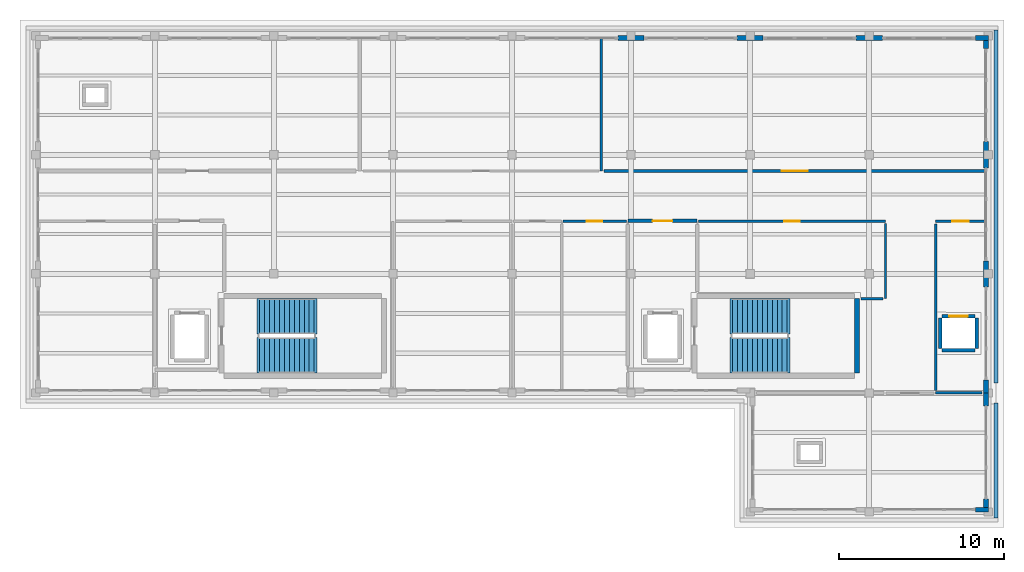
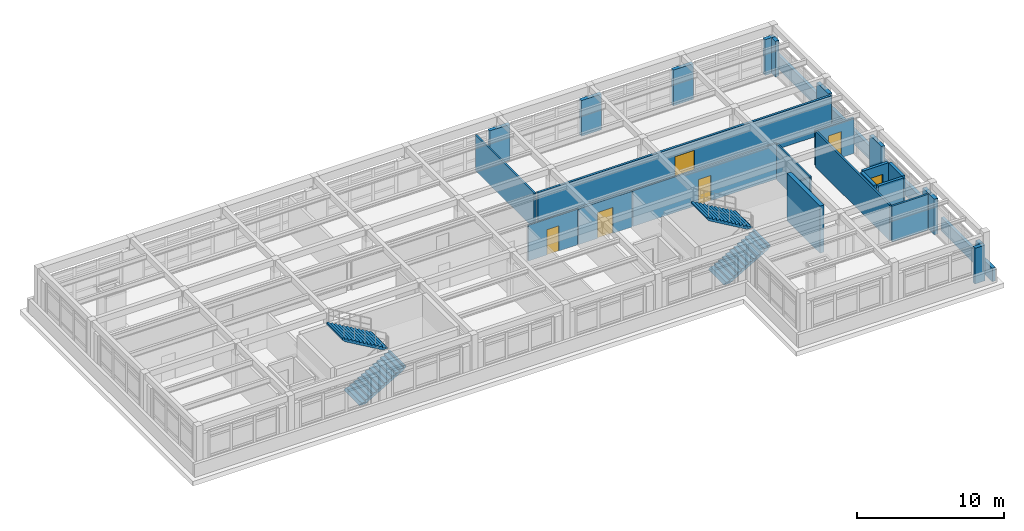
# One storey, part 15 of 18: 28 walls, 6 doors, 4 stair flights, 6 openings, 2 elements without a shape of their own.
"""IFC4 building model written with IfcOpenShell, lengths in metres."""

from ifc_helpers import new_model, si_unit, direction, frame, frame_2d, origin, place, context, subcontext, project, spatial, polyline, rectangle, outline, extrude, material, layer, layer_set, type_object, element, fill, aggregate, save


model = new_model("IFC4")

# Units and contexts
model_context = context("Model", 3, precision=1e-05, world=origin(), true_north=direction((0.0, 1.0)))
body_context = subcontext(model_context, "Body", "Model", "MODEL_VIEW")
ifc_project = project(units=[si_unit("LENGTHUNIT", "METRE"), si_unit("AREAUNIT", "SQUARE_METRE"), si_unit("VOLUMEUNIT", "CUBIC_METRE"), si_unit("PLANEANGLEUNIT", "RADIAN"), si_unit("MASSUNIT", "GRAM", prefix="KILO")], contexts=[model_context])

# Site, building, storey
site_placement = place(None, origin())
site = spatial("IfcSite", under=ifc_project, at=site_placement, CompositionType="ELEMENT")
building_placement = place(site_placement, origin())
building = spatial("IfcBuilding", under=site, at=building_placement, Name="Solenvale Faculty of Natural Sciences", CompositionType="ELEMENT")
storey_placement = place(building_placement, frame((0.0, 0.0, 43.800048828125)))
storey = spatial("IfcBuildingStorey", under=building, at=storey_placement, Name="L10", CompositionType="ELEMENT", Elevation=43.800048828125)

# Walls
ifc_material_1 = material(Name="Precast concrete 40 MPa", Category="concrete")
ifc_layer_1 = layer(ifc_material_1, 0.284912109375)
ifc_layer_set_1 = layer_set([ifc_layer_1], Name="Precast concrete 40 MPa")
wall_type_1 = type_object("IfcWallType", Name="WL-EXT-PRC-285", PredefinedType="STANDARD", material=ifc_layer_set_1)
wall_1_placement = place(storey_placement, frame((151.0576171875, 93.60009765625, 0.0), z_axis=(0.0, 0.0, 1.0), x_axis=(0.0, 1.0, 0.0)))
element("IfcWall", 1, at=wall_1_placement, inside=storey, type_object=wall_type_1, Name="L10 Facade Closure Pier 1.B1-L", PredefinedType="STANDARD", context=body_context, shape_type="SweptSolid", body=[
    extrude(rectangle(XDim=0.787841796875, YDim=0.284912109375, at=frame_2d((0.39404296875, 0.0))), origin(), (0.0, 0.0, 1.0), 2.9599609375),
])
wall_2_placement = place(storey_placement, frame((151.0576171875, 100.011962890625, 0.0), z_axis=(0.0, 0.0, 1.0), x_axis=(0.0, 1.0, 0.0)))
element("IfcWall", 2, at=wall_2_placement, inside=storey, type_object=wall_type_1, Name="L10 Facade Closure Pier 1.B1-R", PredefinedType="STANDARD", context=body_context, shape_type="SweptSolid", body=[
    extrude(rectangle(XDim=1.575927734375, YDim=0.284912109375, at=frame_2d((0.7880859375, 0.0))), origin(), (0.0, 0.0, 1.0), 2.9599609375),
])
wall_3_placement = place(storey_placement, frame((151.0576171875, 107.2119140625, 0.0), z_axis=(0.0, 0.0, 1.0), x_axis=(0.0, 1.0, 0.0)))
element("IfcWall", 3, at=wall_3_placement, inside=storey, type_object=wall_type_1, Name="L10 Facade Closure Pier 1.B2-R", PredefinedType="STANDARD", context=body_context, shape_type="SweptSolid", body=[
    extrude(rectangle(XDim=1.576171875, YDim=0.284912109375, at=frame_2d((0.7880859375, 0.0))), origin(), (0.0, 0.0, 1.0), 2.9599609375),
])
wall_4_placement = place(storey_placement, frame((151.0576171875, 114.412109375, 0.0), z_axis=(0.0, 0.0, 1.0), x_axis=(0.0, 1.0, 0.0)))
element("IfcWall", 4, at=wall_4_placement, inside=storey, type_object=wall_type_1, Name="L10 Facade Closure Pier 1.B3-R", PredefinedType="STANDARD", context=body_context, shape_type="SweptSolid", body=[
    extrude(rectangle(XDim=0.5029296875, YDim=0.284912109375, at=frame_2d((0.25146484375, 0.0))), origin(), (0.0, 0.0, 1.0), 2.9599609375),
])
wall_5_placement = place(storey_placement, frame((151.199951171875, 115.0576171875, 0.0), z_axis=(0.0, 0.0, 1.0), x_axis=(-1.0, 0.0, 0.0)))
element("IfcWall", 5, at=wall_5_placement, inside=storey, type_object=wall_type_1, Name="L10 Facade Closure Pier 2.B1-L", PredefinedType="STANDARD", context=body_context, shape_type="SweptSolid", body=[
    extrude(rectangle(XDim=0.787841796875, YDim=0.284912109375, at=frame_2d((0.39404296875, 0.0))), origin(), (0.0, 0.0, 1.0), 2.9599609375),
])
wall_6_placement = place(storey_placement, frame((144.7880859375, 115.0576171875, 0.0), z_axis=(0.0, 0.0, 1.0), x_axis=(-1.0, 0.0, 0.0)))
element("IfcWall", 6, at=wall_6_placement, inside=storey, type_object=wall_type_1, Name="L10 Facade Closure Pier 2.B1-R", PredefinedType="STANDARD", context=body_context, shape_type="SweptSolid", body=[
    extrude(rectangle(XDim=1.576171875, YDim=0.284912109375, at=frame_2d((0.7880859375, 0.0))), origin(), (0.0, 0.0, 1.0), 2.9599609375),
])
for number, where, z_axis, x_axis, name in (
    (7, (137.587890625, 115.0576171875, 0.0), (0.0, 0.0, 1.0), (-1.0, 0.0, 0.0), "L10 Facade Closure Pier 2.B2-R"),
    (8, (130.387939453125, 115.0576171875, 0.0), (0.0, 0.0, 1.0), (-1.0, 0.0, 0.0), "L10 Facade Closure Pier 2.B3-R"),
):
    element("IfcWall", number, at=place(storey_placement, frame(where, z_axis=z_axis, x_axis=x_axis)), inside=storey, type_object=wall_type_1, Name=name, PredefinedType="STANDARD", context=body_context, shape_type="SweptSolid", body=[
        extrude(rectangle(XDim=1.575927734375, YDim=0.284912109375, at=frame_2d((0.7880859375, 0.0))), origin(), (0.0, 0.0, 1.0), 2.9599609375),
    ])
wall_7_placement = place(storey_placement, frame((150.412109375, 86.54248046875, 0.0), z_axis=(0.0, 0.0, 1.0), x_axis=(1.0, 0.0, 0.0)))
element("IfcWall", 9, at=wall_7_placement, inside=storey, type_object=wall_type_1, Name="L10 Facade Closure Pier 6.B2-R", PredefinedType="STANDARD", context=body_context, shape_type="SweptSolid", body=[
    extrude(rectangle(XDim=0.787841796875, YDim=0.284912109375, at=frame_2d((0.39404296875, 0.0))), origin(), (0.0, 0.0, 1.0), 2.9599609375),
])
wall_8_placement = place(storey_placement, frame((151.0576171875, 86.68505859375, 0.0), z_axis=(0.0, 0.0, 1.0), x_axis=(0.0, 1.0, 0.0)))
element("IfcWall", 10, at=wall_8_placement, inside=storey, type_object=wall_type_1, Name="L10 Facade Closure Pier 7.B1-L", PredefinedType="STANDARD", context=body_context, shape_type="SweptSolid", body=[
    extrude(rectangle(XDim=0.5029296875, YDim=0.284912109375, at=frame_2d((0.25146484375, 0.0))), origin(), (0.0, 0.0, 1.0), 2.9599609375),
])
wall_9_placement = place(storey_placement, frame((151.0576171875, 92.81201171875, 0.0), z_axis=(0.0, 0.0, 1.0), x_axis=(0.0, 1.0, 0.0)))
element("IfcWall", 11, at=wall_9_placement, inside=storey, type_object=wall_type_1, Name="L10 Facade Closure Pier 7.B1-R", PredefinedType="STANDARD", context=body_context, shape_type="SweptSolid", body=[
    extrude(rectangle(XDim=0.7880859375, YDim=0.284912109375, at=frame_2d((0.39404296875, 0.0))), origin(), (0.0, 0.0, 1.0), 2.9599609375),
])

# Wall, opening, door
ifc_material_2 = material(Name="Gypsum fire-rated shaftwall")
ifc_layer_2 = layer(ifc_material_2, 0.205078125)
ifc_layer_set_2 = layer_set([ifc_layer_2], Name="Gypsum fire-rated shaftwall")
wall_type_2 = type_object("IfcWallType", Name="WL-FFL-205", PredefinedType="PARTITIONING", material=ifc_layer_set_2)
wall_10_placement = place(storey_placement, frame((129.39990234375, 104.0, 0.0), z_axis=(0.0, 0.0, 1.0), x_axis=(1.0, 0.0, 0.0)))
wall_10 = element("IfcWall", 12, at=wall_10_placement, inside=storey, type_object=wall_type_2, Name="L10 Firefighting Lobby C5 Partition 1", PredefinedType="PARTITIONING", context=body_context, shape_type="SweptSolid", body=[
    extrude(rectangle(XDim=4.2001953125, YDim=0.205078125, at=frame_2d((2.10009765625, 0.0))), origin(), (0.0, 0.0, 1.0), 2.9599609375),
])
opening_1_placement = place(wall_10_placement, frame((1.5, 0.0, 0.0)))
opening_1 = element("IfcOpeningElement", 13, at=opening_1_placement, cuts=wall_10, Name="Opening D-L10-02", PredefinedType="OPENING", context=body_context, shape_type="SweptSolid", body=[
    extrude(rectangle(XDim=1.199951171875, YDim=2.14990234375, at=frame_2d((0.60009765625, 1.074951171875))), frame((0.0, 0.112548828125, 0.0), z_axis=(0.0, -1.0, 0.0), x_axis=(1.0, 0.0, 0.0)), (0.0, 0.0, 1.0), 0.22509765625),
])
ifc_material_3 = material(Name="Galvanised steel S355", Category="steel")
door_type_1 = type_object("IfcDoorType", Name="DR-FFL-1200x2150", OperationType="NOTDEFINED", PredefinedType="DOOR", material=ifc_material_3)
door_1_placement = place(opening_1_placement, origin())
door_1 = element("IfcDoor", 14, at=door_1_placement, inside=storey, type_object=door_type_1, Name="L10 Firefighting Lobby C5 Door", OperationType="SINGLE_SWING_LEFT", OverallHeight=2.14990234375, OverallWidth=1.199951171875, PredefinedType="DOOR", context=body_context, shape_type="SweptSolid", body=[
    extrude(rectangle(XDim=1.199951171875, YDim=2.14990234375, at=frame_2d((0.60009765625, 1.074951171875))), frame((0.0, 0.02490234375, 0.0), z_axis=(0.0, -1.0, 0.0), x_axis=(1.0, 0.0, 0.0)), (0.0, 0.0, 1.0), 0.050048828125),
])
fill(opening_1, door_1)

ifc_material_4 = material(Name="Gypsum fire-rated laboratory partition")
ifc_layer_3 = layer(ifc_material_4, 0.175048828125)
ifc_layer_set_3 = layer_set([ifc_layer_3], Name="Gypsum fire-rated laboratory partition")
wall_type_3 = type_object("IfcWallType", Name="WL-LAB-175", PredefinedType="PARTITIONING", material=ifc_layer_set_3)
wall_11_placement = place(storey_placement, frame((151.01806640625, 107.02001953125, 0.0), z_axis=(0.0, 0.0, 1.0), x_axis=(-1.0, 0.0, 0.0)))
wall_11 = element("IfcWall", 15, at=wall_11_placement, inside=storey, type_object=wall_type_3, Name="L10 Preparative Organic Chemistry Laboratory Partition 4", PredefinedType="PARTITIONING", context=body_context, shape_type="SweptSolid", body=[
    extrude(rectangle(XDim=23.049072265625, YDim=0.175048828125, at=frame_2d((11.5244140625, 0.0))), origin(), (0.0, 0.0, 1.0), 2.9599609375),
])
opening_2_placement = place(wall_11_placement, frame((10.75, 0.0, 0.0)))
opening_2 = element("IfcOpeningElement", 16, at=opening_2_placement, cuts=wall_11, Name="Opening D-L10-05", PredefinedType="OPENING", context=body_context, shape_type="SweptSolid", body=[
    extrude(rectangle(XDim=1.550048828125, YDim=2.199951171875, at=frame_2d((0.77490234375, 1.10009765625))), frame((0.0, 0.097412109375, 0.0), z_axis=(0.0, -1.0, 0.0), x_axis=(1.0, 0.0, 0.0)), (0.0, 0.0, 1.0), 0.195068359375),
])
ifc_material_5 = material(Name="Oak acoustic timber leaf", Category="wood")
door_type_2 = type_object("IfcDoorType", Name="DR-LAB-1550x2200", OperationType="NOTDEFINED", PredefinedType="DOOR", material=ifc_material_5)
door_2_placement = place(opening_2_placement, origin())
door_2 = element("IfcDoor", 17, at=door_2_placement, inside=storey, type_object=door_type_2, Name="L10 Preparative Organic Chemistry Laboratory Door", OperationType="SINGLE_SWING_RIGHT", OverallHeight=2.199951171875, OverallWidth=1.550048828125, PredefinedType="DOOR", context=body_context, shape_type="SweptSolid", body=[
    extrude(rectangle(XDim=1.550048828125, YDim=2.199951171875, at=frame_2d((0.77490234375, 1.10009765625))), frame((0.0, 0.02490234375, 0.0), z_axis=(0.0, -1.0, 0.0), x_axis=(1.0, 0.0, 0.0)), (0.0, 0.0, 1.0), 0.050048828125),
])
fill(opening_2, door_2)

ifc_material_6 = material(Name="Acoustic stud gypsum partition")
ifc_layer_4 = layer(ifc_material_6, 0.125)
ifc_layer_set_4 = layer_set([ifc_layer_4], Name="Acoustic stud gypsum partition")
wall_type_4 = type_object("IfcWallType", Name="WL-OFF-125", PredefinedType="PARTITIONING", material=ifc_layer_set_4)
wall_12_placement = place(storey_placement, frame((125.47509765625, 103.97998046875, 0.0), z_axis=(0.0, 0.0, 1.0), x_axis=(1.0, 0.0, 0.0)))
wall_12 = element("IfcWall", 18, at=wall_12_placement, inside=storey, type_object=wall_type_4, Name="L10 Analytical Balance Room Partition 2", PredefinedType="PARTITIONING", context=body_context, shape_type="SweptSolid", body=[
    extrude(rectangle(XDim=3.850830078125, YDim=0.125, at=frame_2d((1.92529296875, 0.0))), origin(), (0.0, 0.0, 1.0), 2.9599609375),
])
opening_3_placement = place(wall_12_placement, frame((1.455078125, 0.0, 0.0)))
opening_3 = element("IfcOpeningElement", 19, at=opening_3_placement, cuts=wall_12, Name="Opening D-L10-09", PredefinedType="OPENING", context=body_context, shape_type="SweptSolid", body=[
    extrude(rectangle(XDim=0.93994140625, YDim=2.10009765625, at=frame_2d((0.469970703125, 1.050048828125))), frame((0.0, 0.072509765625, 0.0), z_axis=(0.0, -1.0, 0.0), x_axis=(1.0, 0.0, 0.0)), (0.0, 0.0, 1.0), 0.14501953125),
])
door_type_3 = type_object("IfcDoorType", Name="DR-OFF-0940x2100", OperationType="NOTDEFINED", PredefinedType="DOOR", material=ifc_material_5)
door_3_placement = place(opening_3_placement, origin())
door_3 = element("IfcDoor", 20, at=door_3_placement, inside=storey, type_object=door_type_3, Name="L10 Analytical Balance Room Door", OperationType="SINGLE_SWING_RIGHT", OverallHeight=2.10009765625, OverallWidth=0.93994140625, PredefinedType="DOOR", context=body_context, shape_type="SweptSolid", body=[
    extrude(rectangle(XDim=0.93994140625, YDim=2.10009765625, at=frame_2d((0.469970703125, 1.050048828125))), frame((0.0, 0.02490234375, 0.0), z_axis=(0.0, -1.0, 0.0), x_axis=(1.0, 0.0, 0.0)), (0.0, 0.0, 1.0), 0.050048828125),
])
fill(opening_3, door_3)

ifc_layer_5 = layer(ifc_material_6, 0.132080078125)
ifc_layer_set_5 = layer_set([ifc_layer_5], Name="Acoustic stud gypsum partition")
wall_type_5 = type_object("IfcWallType", Name="WL-OFF-132", PredefinedType="PARTITIONING", material=ifc_layer_set_5)
wall_13_placement = place(storey_placement, frame((133.677978515625, 103.97998046875, 0.0), z_axis=(0.0, 0.0, 1.0), x_axis=(1.0, 0.0, 0.0)))
wall_13 = element("IfcWall", 21, at=wall_13_placement, inside=storey, type_object=wall_type_5, Name="L10 Building Electrical and Telecom Closet Partition 18", PredefinedType="PARTITIONING", context=body_context, shape_type="SweptSolid", body=[
    extrude(rectangle(XDim=11.302001953125, YDim=0.132080078125, at=frame_2d((5.65087890625, 0.0))), origin(), (0.0, 0.0, 1.0), 2.9599609375),
])
opening_4_placement = place(wall_13_placement, frame((5.1708984375, 0.0, 0.0)))
opening_4 = element("IfcOpeningElement", 22, at=opening_4_placement, cuts=wall_13, Name="Opening D-L10-10", PredefinedType="OPENING", context=body_context, shape_type="SweptSolid", body=[
    extrude(rectangle(XDim=0.9599609375, YDim=2.10009765625, at=frame_2d((0.47998046875, 1.050048828125))), frame((0.0, 0.075927734375, 0.0), z_axis=(0.0, -1.0, 0.0), x_axis=(1.0, 0.0, 0.0)), (0.0, 0.0, 1.0), 0.152099609375),
])
door_type_4 = type_object("IfcDoorType", Name="DR-OFF-0960x2100", OperationType="NOTDEFINED", PredefinedType="DOOR", material=ifc_material_5)
door_4_placement = place(opening_4_placement, origin())
door_4 = element("IfcDoor", 23, at=door_4_placement, inside=storey, type_object=door_type_4, Name="L10 Building Electrical and Telecom Closet Door", OperationType="SINGLE_SWING_LEFT", OverallHeight=2.10009765625, OverallWidth=0.9599609375, PredefinedType="DOOR", context=body_context, shape_type="SweptSolid", body=[
    extrude(rectangle(XDim=0.9599609375, YDim=2.10009765625, at=frame_2d((0.47998046875, 1.050048828125))), frame((0.0, 0.02490234375, 0.0), z_axis=(0.0, -1.0, 0.0), x_axis=(1.0, 0.0, 0.0)), (0.0, 0.0, 1.0), 0.050048828125),
])
fill(opening_4, door_4)

# Walls
wall_14_placement = place(storey_placement, frame((144.97998046875, 103.8359375, 0.0), z_axis=(0.0, 0.0, 1.0), x_axis=(0.0, -1.0, 0.0)))
element("IfcWall", 24, at=wall_14_placement, inside=storey, type_object=wall_type_5, Name="L10 Building Electrical and Telecom Closet Partition 19", PredefinedType="PARTITIONING", context=body_context, shape_type="SweptSolid", body=[
    extrude(rectangle(XDim=4.535888671875, YDim=0.132080078125, at=frame_2d((2.26806640625, 0.0))), origin(), (0.0, 0.0, 1.0), 2.9599609375),
])
wall_15_placement = place(storey_placement, frame((144.8359375, 99.300048828125, 0.0), z_axis=(0.0, 0.0, 1.0), x_axis=(-1.0, 0.0, 0.0)))
element("IfcWall", 25, at=wall_15_placement, inside=storey, type_object=wall_type_5, Name="L10 Building Electrical and Telecom Closet Partition 20", PredefinedType="PARTITIONING", context=body_context, shape_type="SweptSolid", body=[
    extrude(rectangle(XDim=1.337890625, YDim=0.132080078125, at=frame_2d((0.6689453125, 0.0))), origin(), (0.0, 0.0, 1.0), 2.9599609375),
])
ifc_layer_6 = layer(ifc_material_6, 0.139892578125)
ifc_layer_set_6 = layer_set([ifc_layer_6], Name="Acoustic stud gypsum partition")
wall_type_6 = type_object("IfcWallType", Name="WL-OFF-140", PredefinedType="PARTITIONING", material=ifc_layer_set_6)
wall_16_placement = place(storey_placement, frame((127.800048828125, 115.01708984375, 0.0), z_axis=(0.0, 0.0, 1.0), x_axis=(0.0, -1.0, 0.0)))
element("IfcWall", 26, at=wall_16_placement, inside=storey, type_object=wall_type_6, Name="L10 Faculty Staff Office Partition 3", PredefinedType="PARTITIONING", context=body_context, shape_type="SweptSolid", body=[
    extrude(rectangle(XDim=7.9970703125, YDim=0.139892578125, at=frame_2d((3.99853515625, 0.0))), origin(), (0.0, 0.0, 1.0), 2.9599609375),
])

# Wall, opening, door
ifc_layer_7 = layer(ifc_material_6, 0.14794921875)
ifc_layer_set_7 = layer_set([ifc_layer_7], Name="Acoustic stud gypsum partition")
wall_type_7 = type_object("IfcWallType", Name="WL-OFF-148", PredefinedType="PARTITIONING", material=ifc_layer_set_7)
wall_17_placement = place(storey_placement, frame((148.02001953125, 103.97998046875, 0.0), z_axis=(0.0, 0.0, 1.0), x_axis=(1.0, 0.0, 0.0)))
wall_17 = element("IfcWall", 27, at=wall_17_placement, inside=storey, type_object=wall_type_7, Name="L10 Elevator Lobby Partition 1", PredefinedType="PARTITIONING", context=body_context, shape_type="SweptSolid", body=[
    extrude(rectangle(XDim=2.998046875, YDim=0.14794921875, at=frame_2d((1.4990234375, 0.0))), origin(), (0.0, 0.0, 1.0), 2.9599609375),
])
opening_5_placement = place(wall_17_placement, frame((0.989013671875, 0.0, 0.0)))
opening_5 = element("IfcOpeningElement", 28, at=opening_5_placement, cuts=wall_17, Name="Opening D-L10-11", PredefinedType="OPENING", context=body_context, shape_type="SweptSolid", body=[
    extrude(rectangle(XDim=1.02001953125, YDim=2.14990234375, at=frame_2d((0.510009765625, 1.074951171875))), frame((0.0, 0.083984375, 0.0), z_axis=(0.0, -1.0, 0.0), x_axis=(1.0, 0.0, 0.0)), (0.0, 0.0, 1.0), 0.16796875),
])
door_type_5 = type_object("IfcDoorType", Name="DR-OFF-1020x2150", OperationType="NOTDEFINED", PredefinedType="DOOR", material=ifc_material_5)
door_5_placement = place(opening_5_placement, origin())
door_5 = element("IfcDoor", 29, at=door_5_placement, inside=storey, type_object=door_type_5, Name="L10 Elevator Lobby Door", OperationType="SINGLE_SWING_RIGHT", OverallHeight=2.14990234375, OverallWidth=1.02001953125, PredefinedType="DOOR", context=body_context, shape_type="SweptSolid", body=[
    extrude(rectangle(XDim=1.02001953125, YDim=2.14990234375, at=frame_2d((0.510009765625, 1.074951171875))), frame((0.0, 0.02490234375, 0.0), z_axis=(0.0, -1.0, 0.0), x_axis=(1.0, 0.0, 0.0)), (0.0, 0.0, 1.0), 0.050048828125),
])
fill(opening_5, door_5)

# Walls
wall_18_placement = place(storey_placement, frame((150.8291015625, 93.60009765625, 0.0), z_axis=(0.0, 0.0, 1.0), x_axis=(-1.0, 0.0, 0.0)))
element("IfcWall", 30, at=wall_18_placement, inside=storey, type_object=wall_type_7, Name="L10 Elevator Lobby Partition 3", PredefinedType="PARTITIONING", context=body_context, shape_type="SweptSolid", body=[
    extrude(rectangle(XDim=2.80908203125, YDim=0.14794921875, at=frame_2d((1.404541015625, 0.0))), origin(), (0.0, 0.0, 1.0), 2.9599609375),
])
wall_19_placement = place(storey_placement, frame((148.02001953125, 93.760009765625, 0.0), z_axis=(0.0, 0.0, 1.0), x_axis=(0.0, 1.0, 0.0)))
element("IfcWall", 31, at=wall_19_placement, inside=storey, type_object=wall_type_7, Name="L10 Elevator Lobby Partition 4", PredefinedType="PARTITIONING", context=body_context, shape_type="SweptSolid", body=[
    extrude(rectangle(XDim=10.06005859375, YDim=0.14794921875, at=frame_2d((5.030029296875, 0.0))), origin(), (0.0, 0.0, 1.0), 2.9599609375),
])
ifc_material_7 = material(Name="Architectural bronze concrete 40 MPa", Category="concrete")
ifc_layer_8 = layer(ifc_material_7, 0.239990234375)
ifc_layer_set_8 = layer_set([ifc_layer_8], Name="Architectural bronze concrete 40 MPa")
wall_type_8 = type_object("IfcWallType", Name="WL-PAR-BRZ-240", PredefinedType="PARAPET", material=ifc_layer_set_8)
wall_20_placement = place(storey_placement, frame((151.679931640625, 115.56005859375, 0.0), z_axis=(0.0, 0.0, 1.0), x_axis=(0.0, -1.0, 0.0)))
element("IfcWall", 32, at=wall_20_placement, inside=storey, type_object=wall_type_8, Name="L10 Tower Horizontal Concrete Band 4", PredefinedType="PARAPET", context=body_context, shape_type="SweptSolid", body=[
    extrude(rectangle(XDim=21.360107421875, YDim=0.239990234375, at=frame_2d((10.68017578125, 0.0))), origin(), (0.0, 0.0, 1.0), 1.119873046875),
])
wall_21_placement = place(storey_placement, frame((151.679931640625, 93.0, 0.0), z_axis=(0.0, 0.0, 1.0), x_axis=(0.0, -1.0, 0.0)))
element("IfcWall", 33, at=wall_21_placement, inside=storey, type_object=wall_type_8, Name="L10 Tower Horizontal Concrete Band 5", PredefinedType="PARAPET", context=body_context, shape_type="SweptSolid", body=[
    extrude(rectangle(XDim=6.9599609375, YDim=0.239990234375, at=frame_2d((3.47998046875, 0.0))), origin(), (0.0, 0.0, 1.0), 1.119873046875),
])
ifc_material_8 = material(Name="Concrete 40 MPa", Category="concrete")
ifc_layer_9 = layer(ifc_material_8, 0.219970703125)
ifc_layer_set_9 = layer_set([ifc_layer_9], Name="Concrete 40 MPa")
wall_type_9 = type_object("IfcWallType", Name="WL-SHF-220", PredefinedType="STANDARD", material=ifc_layer_set_9)
wall_22_placement = place(storey_placement, frame((148.405029296875, 96.169921875, 0.0), z_axis=(0.0, 0.0, 1.0), x_axis=(1.0, 0.0, 0.0)))
element("IfcWall", 34, at=wall_22_placement, inside=storey, type_object=wall_type_9, Name="Elevator LP-03 L10 Shaft Wall S", PredefinedType="STANDARD", context=body_context, shape_type="SweptSolid", body=[
    extrude(rectangle(XDim=1.989990234375, YDim=0.219970703125, at=frame_2d((0.9951171875, 0.0))), origin(), (0.0, 0.0, 1.0), 2.9599609375),
])

# Wall, opening, door
wall_23_placement = place(storey_placement, frame((148.405029296875, 98.22998046875, 0.0), z_axis=(0.0, 0.0, 1.0), x_axis=(1.0, 0.0, 0.0)))
wall_23 = element("IfcWall", 35, at=wall_23_placement, inside=storey, type_object=wall_type_9, Name="Elevator LP-03 L10 Shaft Wall N", PredefinedType="STANDARD", context=body_context, shape_type="SweptSolid", body=[
    extrude(rectangle(XDim=1.989990234375, YDim=0.219970703125, at=frame_2d((0.9951171875, 0.0))), origin(), (0.0, 0.0, 1.0), 2.9599609375),
])
opening_6_placement = place(wall_23_placement, frame((0.445068359375, 0.0, 0.0)))
opening_6 = element("IfcOpeningElement", 36, at=opening_6_placement, cuts=wall_23, Name="Opening LD-LP-03-L10", PredefinedType="OPENING", context=body_context, shape_type="SweptSolid", body=[
    extrude(rectangle(XDim=1.10009765625, YDim=2.14990234375, at=frame_2d((0.550048828125, 1.074951171875))), frame((0.0, 0.119873046875, 0.0), z_axis=(0.0, -1.0, 0.0), x_axis=(1.0, 0.0, 0.0)), (0.0, 0.0, 1.0), 0.239990234375),
])
ifc_material_9 = material(Name="Stainless steel Grade 304", Category="steel")
door_type_6 = type_object("IfcDoorType", Name="DR-LIFT-1100x2150", OperationType="NOTDEFINED", PredefinedType="DOOR", material=ifc_material_9)
door_6_placement = place(opening_6_placement, origin())
door_6 = element("IfcDoor", 37, at=door_6_placement, inside=storey, type_object=door_type_6, Name="Elevator LP-03 L10 Sliding Landing Door", OperationType="SLIDING_TO_LEFT", OverallHeight=2.14990234375, OverallWidth=1.10009765625, PredefinedType="DOOR", context=body_context, shape_type="SweptSolid", body=[
    extrude(rectangle(XDim=1.10009765625, YDim=2.14990234375, at=frame_2d((0.550048828125, 1.074951171875))), frame((0.0, 0.02490234375, 0.0), z_axis=(0.0, -1.0, 0.0), x_axis=(1.0, 0.0, 0.0)), (0.0, 0.0, 1.0), 0.050048828125),
])
fill(opening_6, door_6)

# Walls
for number, where, z_axis, x_axis, name in (
    (38, (148.294921875, 96.280029296875, 0.0), (0.0, 0.0, 1.0), (0.0, 1.0, 0.0), "Elevator LP-03 L10 Shaft Wall W"),
    (39, (150.5048828125, 96.280029296875, 0.0), (0.0, 0.0, 1.0), (0.0, 1.0, 0.0), "Elevator LP-03 L10 Shaft Wall E"),
):
    element("IfcWall", number, at=place(storey_placement, frame(where, z_axis=z_axis, x_axis=x_axis)), inside=storey, type_object=wall_type_9, Name=name, PredefinedType="STANDARD", context=body_context, shape_type="SweptSolid", body=[
        extrude(rectangle(XDim=1.840087890625, YDim=0.219970703125, at=frame_2d((0.919921875, 0.0))), origin(), (0.0, 0.0, 1.0), 2.9599609375),
    ])
ifc_layer_10 = layer(ifc_material_8, 0.320068359375)
ifc_layer_set_10 = layer_set([ifc_layer_10], Name="Concrete 40 MPa")
wall_type_10 = type_object("IfcWallType", Name="WL-SHR-320", PredefinedType="SHEAR", material=ifc_layer_set_10)
wall_24_placement = place(storey_placement, frame((143.260009765625, 94.800048828125, 0.0), z_axis=(0.0, 0.0, 1.0), x_axis=(0.0, 1.0, 0.0)))
element("IfcWall", 40, at=wall_24_placement, inside=storey, type_object=wall_type_10, Name="Core C5 L10 Shear Wall E", PredefinedType="SHEAR", context=body_context, shape_type="SweptSolid", body=[
    extrude(rectangle(XDim=4.5, YDim=0.320068359375, at=frame_2d((2.25, 0.0))), origin(), (0.0, 0.0, 1.0), 3.919921875),
])

# Stair, stair flights
stair_type = type_object("IfcStairType", Name="STR-CORE-25R", PredefinedType="DOUBLE_RETURN_STAIR", material=ifc_material_8)
stair_1_placement = place(storey_placement, origin())
stair_1 = element("IfcStair", 41, at=stair_1_placement, inside=storey, type_object=stair_type, Name="L10 Protected Exit Stair ST-04", PredefinedType="DOUBLE_RETURN_STAIR")
stair_flight_type = type_object("IfcStairFlightType", Name="SFL-RC-25R", PredefinedType="STRAIGHT", material=ifc_material_8)
stair_flight_1_placement = place(storey_placement, frame((107.139892578125, 95.875, 0.0), z_axis=(0.0, 0.0, 1.0), x_axis=(1.0, 0.0, 0.0)))
stair_flight_1 = element("IfcStairFlight", 42, at=stair_flight_1_placement, type_object=stair_flight_type, Name="ST-04 flight 1", NumberOfRisers=12, NumberOfTreads=11, PredefinedType="STRAIGHT", RiserHeight=0.175, TreadLength=0.3, context=body_context, shape_type="SweptSolid", body=[
    extrude(outline(polyline([(-0.159912109375, 0.0), (0.0, 0.175048828125), (0.300048828125, 0.175048828125), (0.300048828125, 0.35009765625), (0.60009765625, 0.35009765625), (0.60009765625, 0.52490234375), (0.89990234375, 0.52490234375), (0.89990234375, 0.699951171875), (1.199951171875, 0.699951171875), (1.199951171875, 0.875), (1.5, 0.875), (1.5, 1.050048828125), (1.800048828125, 1.050048828125), (1.800048828125, 1.22509765625), (2.10009765625, 1.22509765625), (2.10009765625, 1.39990234375), (2.39990234375, 1.39990234375), (2.39990234375, 1.574951171875), (2.699951171875, 1.574951171875), (2.699951171875, 1.75), (3.0, 1.75), (3.0, 1.925048828125), (3.300048828125, 1.925048828125), (3.300048828125, 2.10009765625), (3.4599609375, 2.10009765625), (3.4599609375, 1.9501953125), (3.300048828125, 1.75146484375), (0.297607421875, 0.0), (-0.159912109375, 0.0)])), frame((0.0, 1.074951171875, 0.0), z_axis=(0.0, -1.0, 0.0), x_axis=(1.0, 0.0, 0.0)), (0.0, 0.0, 1.0), 2.14990234375),
])
stair_flight_2_placement = place(storey_placement, frame((110.43994140625, 98.22509765625, 2.099853515625), z_axis=(0.0, 0.0, 1.0), x_axis=(-1.0, 0.0, 0.0)))
stair_flight_2 = element("IfcStairFlight", 43, at=stair_flight_2_placement, type_object=stair_flight_type, Name="ST-04 flight 2", NumberOfRisers=12, NumberOfTreads=11, PredefinedType="STRAIGHT", RiserHeight=0.175, TreadLength=0.3, context=body_context, shape_type="SweptSolid", body=[
    extrude(outline(polyline([(-0.159912109375, 0.0), (0.0, 0.175048828125), (0.300048828125, 0.175048828125), (0.300048828125, 0.35009765625), (0.60009765625, 0.35009765625), (0.60009765625, 0.52490234375), (0.89990234375, 0.52490234375), (0.89990234375, 0.699951171875), (1.199951171875, 0.699951171875), (1.199951171875, 0.875), (1.5, 0.875), (1.5, 1.050048828125), (1.800048828125, 1.050048828125), (1.800048828125, 1.22509765625), (2.10009765625, 1.22509765625), (2.10009765625, 1.39990234375), (2.39990234375, 1.39990234375), (2.39990234375, 1.574951171875), (2.699951171875, 1.574951171875), (2.699951171875, 1.75), (3.0, 1.75), (3.0, 1.925048828125), (3.300048828125, 1.925048828125), (3.300048828125, 2.10009765625), (3.4599609375, 2.10009765625), (3.4599609375, 1.9501953125), (3.300048828125, 1.75146484375), (0.297607421875, 0.0), (-0.159912109375, 0.0)])), frame((0.0, 1.074951171875, 0.0), z_axis=(0.0, -1.0, 0.0), x_axis=(1.0, 0.0, 0.0)), (0.0, 0.0, 1.0), 2.14990234375),
])
aggregate(stair_1, [stair_flight_1, stair_flight_2])

stair_2_placement = place(storey_placement, origin())
stair_2 = element("IfcStair", 44, at=stair_2_placement, inside=storey, type_object=stair_type, Name="L10 Protected Exit Stair ST-05", PredefinedType="DOUBLE_RETURN_STAIR")
stair_flight_3_placement = place(storey_placement, frame((135.739990234375, 95.875, 0.0), z_axis=(0.0, 0.0, 1.0), x_axis=(1.0, 0.0, 0.0)))
stair_flight_3 = element("IfcStairFlight", 45, at=stair_flight_3_placement, type_object=stair_flight_type, Name="ST-05 flight 1", NumberOfRisers=12, NumberOfTreads=11, PredefinedType="STRAIGHT", RiserHeight=0.175, TreadLength=0.3, context=body_context, shape_type="SweptSolid", body=[
    extrude(outline(polyline([(-0.159912109375, 0.0), (0.0, 0.175048828125), (0.300048828125, 0.175048828125), (0.300048828125, 0.35009765625), (0.60009765625, 0.35009765625), (0.60009765625, 0.52490234375), (0.89990234375, 0.52490234375), (0.89990234375, 0.699951171875), (1.199951171875, 0.699951171875), (1.199951171875, 0.875), (1.5, 0.875), (1.5, 1.050048828125), (1.800048828125, 1.050048828125), (1.800048828125, 1.22509765625), (2.10009765625, 1.22509765625), (2.10009765625, 1.39990234375), (2.39990234375, 1.39990234375), (2.39990234375, 1.574951171875), (2.699951171875, 1.574951171875), (2.699951171875, 1.75), (3.0, 1.75), (3.0, 1.925048828125), (3.300048828125, 1.925048828125), (3.300048828125, 2.10009765625), (3.4599609375, 2.10009765625), (3.4599609375, 1.9501953125), (3.300048828125, 1.75146484375), (0.297607421875, 0.0), (-0.159912109375, 0.0)])), frame((0.0, 1.074951171875, 0.0), z_axis=(0.0, -1.0, 0.0), x_axis=(1.0, 0.0, 0.0)), (0.0, 0.0, 1.0), 2.14990234375),
])
stair_flight_4_placement = place(storey_placement, frame((139.0400390625, 98.22509765625, 2.099853515625), z_axis=(0.0, 0.0, 1.0), x_axis=(-1.0, 0.0, 0.0)))
stair_flight_4 = element("IfcStairFlight", 46, at=stair_flight_4_placement, type_object=stair_flight_type, Name="ST-05 flight 2", NumberOfRisers=12, NumberOfTreads=11, PredefinedType="STRAIGHT", RiserHeight=0.175, TreadLength=0.3, context=body_context, shape_type="SweptSolid", body=[
    extrude(outline(polyline([(-0.159912109375, 0.0), (0.0, 0.175048828125), (0.300048828125, 0.175048828125), (0.300048828125, 0.35009765625), (0.60009765625, 0.35009765625), (0.60009765625, 0.52490234375), (0.89990234375, 0.52490234375), (0.89990234375, 0.699951171875), (1.199951171875, 0.699951171875), (1.199951171875, 0.875), (1.5, 0.875), (1.5, 1.050048828125), (1.800048828125, 1.050048828125), (1.800048828125, 1.22509765625), (2.10009765625, 1.22509765625), (2.10009765625, 1.39990234375), (2.39990234375, 1.39990234375), (2.39990234375, 1.574951171875), (2.699951171875, 1.574951171875), (2.699951171875, 1.75), (3.0, 1.75), (3.0, 1.925048828125), (3.300048828125, 1.925048828125), (3.300048828125, 2.10009765625), (3.4599609375, 2.10009765625), (3.4599609375, 1.9501953125), (3.300048828125, 1.75146484375), (0.297607421875, 0.0), (-0.159912109375, 0.0)])), frame((0.0, 1.074951171875, 0.0), z_axis=(0.0, -1.0, 0.0), x_axis=(1.0, 0.0, 0.0)), (0.0, 0.0, 1.0), 2.14990234375),
])
aggregate(stair_2, [stair_flight_3, stair_flight_4])

save(model, "model.ifc")
